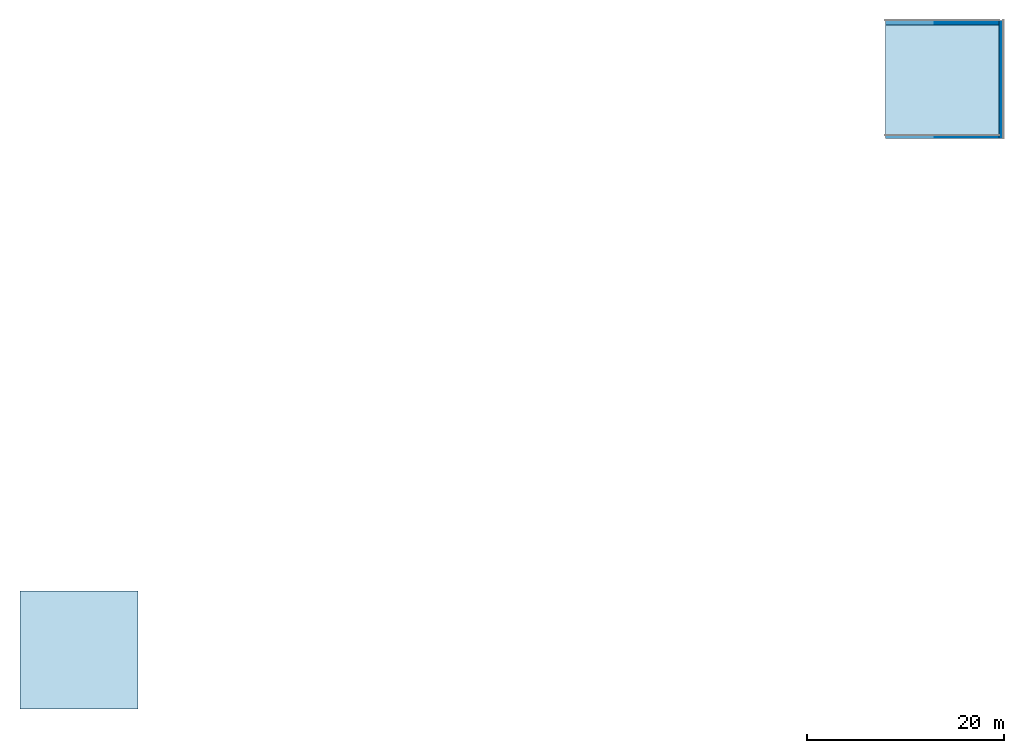
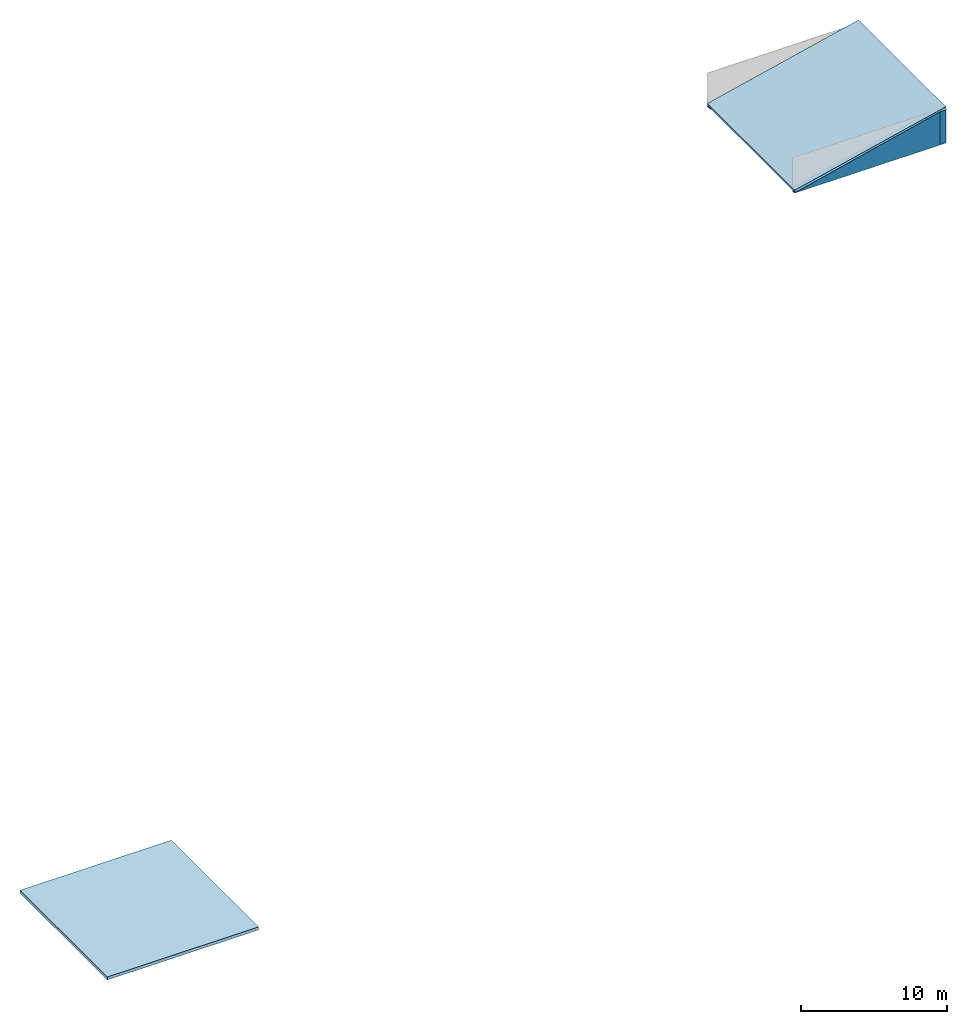
# One storey, part 1 of 2: 3 walls, 2 slabs.
"""IFC4 building model written with IfcOpenShell, lengths in metres."""

from ifc_helpers import new_model, si_unit, direction, frame, frame_2d, origin, place, context, subcontext, project, spatial, polyline, rectangle, outline, extrude, material, layer, layer_set, type_object, element, save


model = new_model("IFC4")

# Units and contexts
model_context = context("Model", 3, precision=1e-05, world=origin(), true_north=direction((0.0, 1.0)))
body_context = subcontext(model_context, "Body", "Model", "MODEL_VIEW")
ifc_project = project(units=[si_unit("LENGTHUNIT", "METRE"), si_unit("AREAUNIT", "SQUARE_METRE"), si_unit("VOLUMEUNIT", "CUBIC_METRE"), si_unit("PLANEANGLEUNIT", "RADIAN"), si_unit("MASSUNIT", "GRAM", prefix="KILO")], contexts=[model_context])

# Site, building, storey
site_placement = place(None, origin())
site = spatial("IfcSite", under=ifc_project, at=site_placement, CompositionType="ELEMENT")
building_placement = place(site_placement, origin())
building = spatial("IfcBuilding", under=site, at=building_placement, Name="Windward Yard Aquatics Centre", CompositionType="ELEMENT")
storey_placement = place(building_placement, frame((0.0, 0.0, 27.199951171875)))
storey = spatial("IfcBuildingStorey", under=building, at=storey_placement, Name="Upper Roof", CompositionType="ELEMENT", Elevation=27.199951171875)

# Slabs
ifc_material_1 = material(Name="Bituminous waterproofing membrane with root barrier")
ifc_layer_1 = layer(ifc_material_1, 0.005, Name="Waterproofing")
ifc_material_2 = material(Name="Mineral wool insulation")
ifc_layer_2 = layer(ifc_material_2, 0.08, Name="Insulation")
ifc_material_3 = material(Name="Cement screed laid to falls")
ifc_layer_3 = layer(ifc_material_3, 0.04, Name="Falls")
ifc_material_4 = material(Name="Concrete C35/45", Category="concrete")
ifc_layer_4 = layer(ifc_material_4, 0.125, Name="Structure")
ifc_layer_set_1 = layer_set([ifc_layer_1, ifc_layer_2, ifc_layer_3, ifc_layer_4], Name="H core roof slab 250 C35/45")
slab_type = type_object("IfcSlabType", Name="H core roof slab 250 C35/45", PredefinedType="ROOF", material=ifc_layer_set_1)
slab_1_placement = place(storey_placement, origin())
element("IfcSlab", 1, at=slab_1_placement, inside=storey, type_object=slab_type, Name="H.CR.SW", PredefinedType="ROOF", context=body_context, shape_type="SweptSolid", body=[
    extrude(outline(polyline([(52.0, 26.0), (64.0, 26.0), (64.0, 38.0), (52.0, 38.0), (52.0, 26.0)])), origin(), (0.0, 0.0, 1.0), 0.25),
])
slab_2_placement = place(storey_placement, frame((140.0, 84.0, 0.25), z_axis=(-0.227233373571, 0.0, 0.973840332876), x_axis=(0.973840332876, 0.0, 0.227233373571)))
element("IfcSlab", 2, at=slab_2_placement, inside=storey, type_object=slab_type, Name="H.CR.NE", PredefinedType="ROOF", context=body_context, shape_type="SweptSolid", body=[
    extrude(outline(polyline([(0.0, 0.0), (12.322349, 0.0), (12.322349, 12.0), (0.0, 12.0), (0.0, 0.0)])), origin(), (0.0, 0.0, -1.0), 0.25),
])

# Walls
ifc_layer_5 = layer(ifc_material_4, 0.300048828125)
ifc_layer_set_2 = layer_set([ifc_layer_5], Name="H core parapet 300 C35/45")
wall_type = type_object("IfcWallType", Name="H core parapet 300 C35/45", PredefinedType="PARAPET", material=ifc_layer_set_2)
wall_1_placement = place(storey_placement, frame((151.77490234375, 96.0, 0.0), z_axis=(0.0, 0.0, 1.0), x_axis=(0.0, -1.0, 0.0)))
element("IfcWall", 3, at=wall_1_placement, inside=storey, type_object=wall_type, Name="H.CP.NE.E", PredefinedType="PARAPET", context=body_context, shape_type="SweptSolid", body=[
    extrude(rectangle(XDim=12.0, YDim=0.449951171875, at=frame_2d((6.0, 0.0))), origin(), (0.0, 0.0, 1.0), 2.800048828125),
])
wall_2_placement = place(storey_placement, frame((151.550048828125, 95.77490234375, 0.0), z_axis=(0.0, 0.0, 1.0), x_axis=(-1.0, 0.0, 0.0)))
element("IfcWall", 4, at=wall_2_placement, inside=storey, type_object=wall_type, Name="H.CP.NE.N", PredefinedType="PARAPET", context=body_context, shape_type="SweptSolid", body=[
    extrude(outline(polyline([(0.0, 0.0), (11.550048828125, 0.0), (11.550048828125, 0.030029296875), (0.0, 2.7880859375), (0.0, 0.0)])), frame((0.0, 0.22509765625, 0.0), z_axis=(0.0, -1.0, 0.0), x_axis=(1.0, 0.0, 0.0)), (0.0, 0.0, 1.0), 0.449951171875),
])
wall_3_placement = place(storey_placement, frame((151.550048828125, 84.14990234375, 0.0), z_axis=(0.0, 0.0, 1.0), x_axis=(-1.0, 0.0, 0.0)))
element("IfcWall", 5, at=wall_3_placement, inside=storey, type_object=wall_type, Name="H.CP.NE.S", PredefinedType="PARAPET", context=body_context, shape_type="SweptSolid", body=[
    extrude(outline(polyline([(0.0, 0.0), (11.550048828125, 0.0), (11.550048828125, 0.030029296875), (0.0, 2.7880859375), (0.0, 0.0)])), frame((0.0, 0.14990234375, 0.0), z_axis=(0.0, -1.0, 0.0), x_axis=(1.0, 0.0, 0.0)), (0.0, 0.0, 1.0), 0.300048828125),
])

save(model, "model.ifc")
